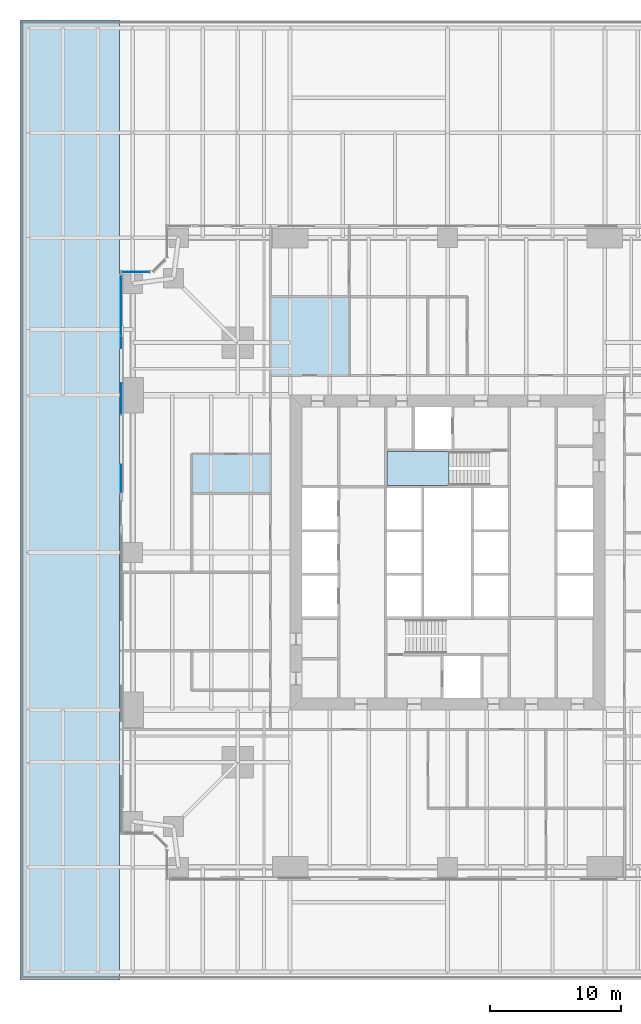
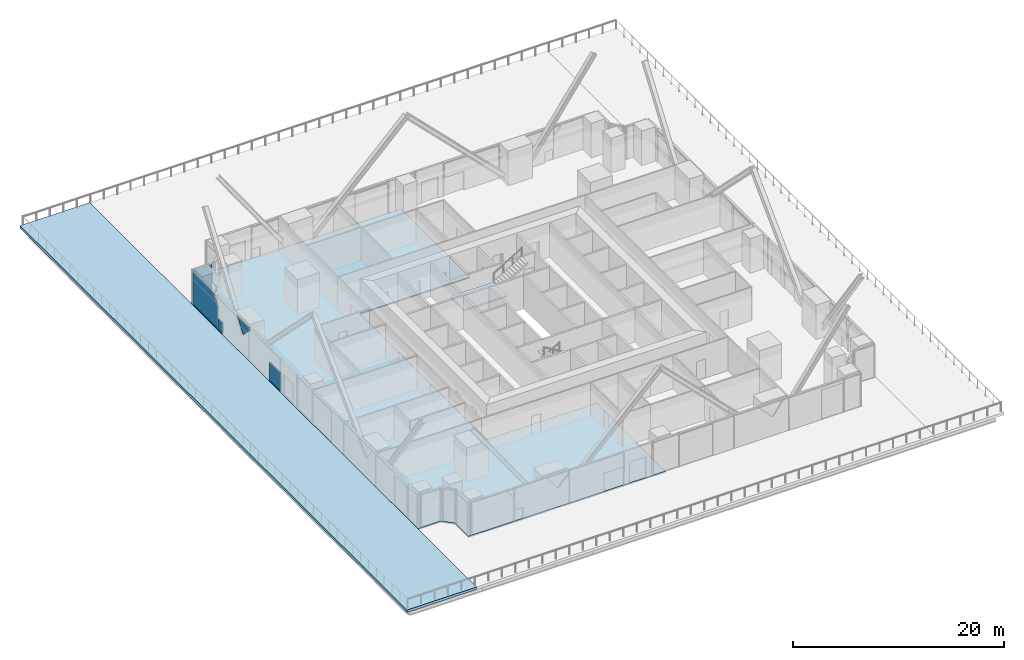
# One storey, part 12 of 21: 5 plates, 3 slabs, 3 elements without a shape of their own.
"""IFC4 building model written with IfcOpenShell, lengths in metres."""

from ifc_helpers import new_model, si_unit, direction, frame, origin, origin_2d, place, context, subcontext, project, spatial, polyline, rectangle, outline, extrude, material, layer, layer_set, type_object, element, aggregate, save


model = new_model("IFC4")

# Units and contexts
model_context = context("Model", 3, precision=1e-05, world=origin(), true_north=direction((0.0, 1.0)))
body_context = subcontext(model_context, "Body", "Model", "MODEL_VIEW")
ifc_project = project(units=[si_unit("LENGTHUNIT", "METRE"), si_unit("AREAUNIT", "SQUARE_METRE"), si_unit("VOLUMEUNIT", "CUBIC_METRE"), si_unit("PLANEANGLEUNIT", "RADIAN"), si_unit("MASSUNIT", "GRAM", prefix="KILO")], contexts=[model_context])

# Site, building, storey
site_placement = place(None, origin())
site = spatial("IfcSite", under=ifc_project, at=site_placement, CompositionType="ELEMENT")
building_placement = place(site_placement, origin())
building = spatial("IfcBuilding", under=site, at=building_placement, Name="Fenwick Lantern Interchange", CompositionType="ELEMENT")
storey_placement = place(building_placement, frame((0.0, 0.0, 31.0)))
storey = spatial("IfcBuildingStorey", under=building, at=storey_placement, Name="L06", CompositionType="ELEMENT", Elevation=31.0)

# Slab
ifc_material_1 = material(Name="Concrete f'c 35 MPa", Category="concrete")
ifc_layer_1 = layer(ifc_material_1, 0.14990234375)
ifc_layer_set_1 = layer_set([ifc_layer_1], Name="Concrete f'c 35 MPa")
slab_type_1 = type_object("IfcSlabType", Name="FLOOR SLAB 150", PredefinedType="FLOOR", material=ifc_layer_set_1)
slab_1_placement = place(storey_placement, frame((0.0, 0.0, -0.14990234375)))
element("IfcSlab", 1, at=slab_1_placement, inside=storey, type_object=slab_type_1, Name="L06/SLAB/FW", PredefinedType="FLOOR", context=body_context, shape_type="SweptSolid", body=[
    extrude(outline(polyline([(3.5, 0.0), (3.5, 2.5), (2.5, 3.5), (0.0, 3.5), (0.0, 46.5), (2.5, 46.5), (3.5, 47.5), (3.5, 50.0), (25.0, 50.0), (25.0, 37.0), (13.0, 37.0), (13.0, 13.0), (25.0, 13.0), (25.0, 0.0), (3.5, 0.0)])), origin(), (0.0, 0.0, 1.0), 0.14990234375),
])

# Curtain wall, plate
ifc_material_2 = material(Name="Aluminium curtain wall frame", Category="aluminium")
curtain_wall_type = type_object("IfcCurtainWallType", Name="OFFICE CURTAIN WALL", PredefinedType="USERDEFINED", material=ifc_material_2)
curtain_wall_1_placement = place(storey_placement, origin())
curtain_wall_1 = element("IfcCurtainWall", 2, at=curtain_wall_1_placement, inside=storey, type_object=curtain_wall_type, Name="Office curtain wall 12", ObjectType="OFFICE CURTAIN WALL", PredefinedType="USERDEFINED")
ifc_material_3 = material(Name="Vision glass, clear low-iron double glazed", Category="glass")
ifc_layer_2 = layer(ifc_material_3, 0.031982421875)
ifc_layer_set_2 = layer_set([ifc_layer_2], Name="OFFICE CURTAIN WALL PANEL 32")
plate_type = type_object("IfcPlateType", Name="OFFICE CURTAIN WALL PANEL 32", PredefinedType="CURTAIN_PANEL", material=ifc_layer_set_2)
plate_1_placement = place(storey_placement, frame((1.220703125, 46.39990234375, 0.0), z_axis=(0.0, 0.0, 1.0), x_axis=(-1.0, 0.0, 0.0)))
plate_1 = element("IfcPlate", 3, at=plate_1_placement, type_object=plate_type, Name="L06/CW/12/P00", PredefinedType="CURTAIN_PANEL", context=body_context, shape_type="SweptSolid", body=[
    extrude(rectangle(XDim=2.111328125, YDim=0.031982421875, at=origin_2d()), origin(), (0.0, 0.0, 1.0), 3.75),
])
aggregate(curtain_wall_1, [plate_1])

# Curtain wall, plates
curtain_wall_2_placement = place(storey_placement, origin())
curtain_wall_2 = element("IfcCurtainWall", 4, at=curtain_wall_2_placement, inside=storey, type_object=curtain_wall_type, Name="Office curtain wall 13A", ObjectType="OFFICE CURTAIN WALL", PredefinedType="USERDEFINED")
plate_2_placement = place(storey_placement, frame((0.10009765625, 46.39990234375, 0.0), z_axis=(0.0, 0.0, 1.0), x_axis=(0.0, -1.0, 0.0)))
plate_2 = element("IfcPlate", 5, at=plate_2_placement, type_object=plate_type, Name="L06/CW/13A/P00a", PredefinedType="CURTAIN_PANEL", context=body_context, shape_type="SweptSolid", body=[
    extrude(outline(polyline([(0.264892578125, 0.0), (4.867431640625, 0.0), (4.867431640625, 2.66650390625), (4.101318359375, 3.75), (0.264892578125, 3.75), (0.264892578125, 0.0)])), frame((0.0, 0.01611328125, 0.0), z_axis=(0.0, -1.0, 0.0), x_axis=(1.0, 0.0, 0.0)), (0.0, 0.0, 1.0), 0.031982421875),
])
plate_3_placement = place(storey_placement, frame((0.10009765625, 46.39990234375, 0.0), z_axis=(0.0, 0.0, 1.0), x_axis=(0.0, -1.0, 0.0)))
plate_3 = element("IfcPlate", 6, at=plate_3_placement, type_object=plate_type, Name="L06/CW/13A/P01a", PredefinedType="CURTAIN_PANEL", context=body_context, shape_type="SweptSolid", body=[
    extrude(outline(polyline([(4.9326171875, 0.0), (5.842529296875, 0.0), (5.842529296875, 1.287841796875), (4.9326171875, 1.287841796875), (4.9326171875, 0.0)])), frame((0.0, 0.01611328125, 0.0), z_axis=(0.0, -1.0, 0.0), x_axis=(1.0, 0.0, 0.0)), (0.0, 0.0, 1.0), 0.031982421875),
])
plate_4_placement = place(storey_placement, frame((0.10009765625, 46.39990234375, 2.158935546875), z_axis=(0.0, 0.0, 1.0), x_axis=(0.0, -1.0, 0.0)))
plate_4 = element("IfcPlate", 7, at=plate_4_placement, type_object=plate_type, Name="L06/CW/13A/P01b", PredefinedType="CURTAIN_PANEL", context=body_context, shape_type="SweptSolid", body=[
    extrude(outline(polyline([(9.635986328125, 0.0), (10.867431640625, 1.2333984375), (10.867431640625, 1.591064453125), (8.510498046875, 1.591064453125), (9.635986328125, 0.0)])), frame((0.0, 0.0498046875, 0.0), z_axis=(0.0, -1.0, 0.0), x_axis=(1.0, 0.0, 0.0)), (0.0, 0.0, 1.0), 0.031982421875),
])
plate_5_placement = place(storey_placement, frame((0.10009765625, 46.39990234375, 0.0), z_axis=(0.0, 0.0, 1.0), x_axis=(0.0, -1.0, 0.0)))
plate_5 = element("IfcPlate", 8, at=plate_5_placement, type_object=plate_type, Name="L06/CW/13A/P02a", PredefinedType="CURTAIN_PANEL", context=body_context, shape_type="SweptSolid", body=[
    extrude(outline(polyline([(14.70263671875, 0.0), (16.8349609375, 0.0), (16.8349609375, 2.138427734375), (14.70263671875, 2.138427734375), (14.70263671875, 0.0)])), frame((0.0, 0.01611328125, 0.0), z_axis=(0.0, -1.0, 0.0), x_axis=(1.0, 0.0, 0.0)), (0.0, 0.0, 1.0), 0.031982421875),
])
aggregate(curtain_wall_2, [plate_2, plate_3, plate_4, plate_5])

# Stair, slab
ifc_material_4 = material(Name="Precast concrete f'c 35 MPa", Category="concrete")
stair_type = type_object("IfcStairType", Name="EXIT STAIR 1200", PredefinedType="HALF_TURN_STAIR", material=ifc_material_4)
stair_placement = place(storey_placement, origin())
stair = element("IfcStair", 9, at=stair_placement, inside=storey, type_object=stair_type, Name="Exit stair ST2", PredefinedType="HALF_TURN_STAIR")
ifc_material_5 = material(Name="Concrete f'c 35 MPa", Category="concrete")
ifc_layer_3 = layer(ifc_material_5, 0.199951171875)
ifc_layer_set_3 = layer_set([ifc_layer_3], Name="STAIR LANDING 200")
slab_type_2 = type_object("IfcSlabType", Name="STAIR LANDING 200", PredefinedType="LANDING", material=ifc_layer_set_3)
slab_2_placement = place(storey_placement, frame((0.0, 0.0, 1.800048828125)))
slab_2 = element("IfcSlab", 10, at=slab_2_placement, type_object=slab_type_2, Name="ST2 landing 1", PredefinedType="LANDING", context=body_context, shape_type="SweptSolid", body=[
    extrude(outline(polyline([(25.1201171875, 32.699951171875), (20.39990234375, 32.699951171875), (20.39990234375, 30.10009765625), (25.1201171875, 30.10009765625), (25.1201171875, 32.699951171875)])), origin(), (0.0, 0.0, 1.0), 0.199951171875),
])
aggregate(stair, [slab_2])

# Slab
ifc_layer_4 = layer(ifc_material_1, 0.300048828125)
ifc_layer_set_4 = layer_set([ifc_layer_4], Name="Concrete f'c 35 MPa")
slab_type_3 = type_object("IfcSlabType", Name="TERRACE SLAB 300", PredefinedType="FLOOR", material=ifc_layer_set_4)
slab_3_placement = place(storey_placement, frame((0.0, 0.0, -0.300048828125)))
element("IfcSlab", 11, at=slab_3_placement, inside=storey, type_object=slab_type_3, Name="L06/SLAB/T1", PredefinedType="FLOOR", context=body_context, shape_type="SweptSolid", body=[
    extrude(outline(polyline([(-7.60009765625, 65.60009765625), (0.0, 65.60009765625), (0.0, 46.5), (0.0, 3.5), (0.0, -7.60009765625), (-7.60009765625, -7.60009765625), (-7.60009765625, 65.60009765625)])), origin(), (0.0, 0.0, 1.0), 0.300048828125),
])

save(model, "model.ifc")
